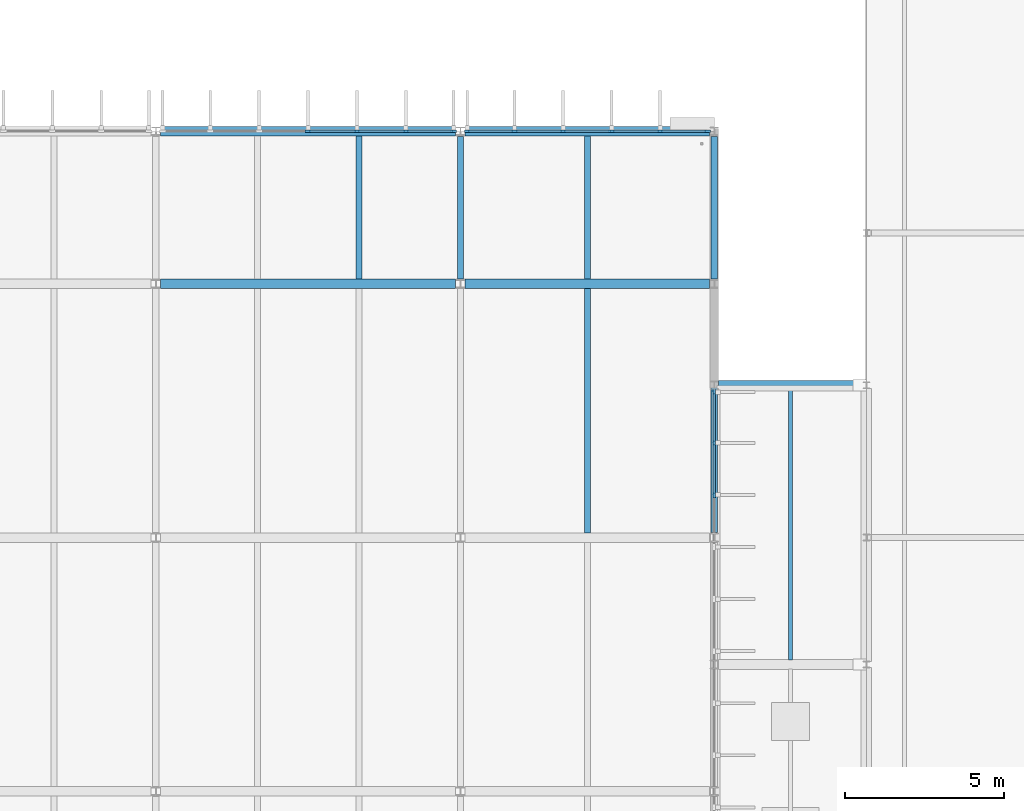
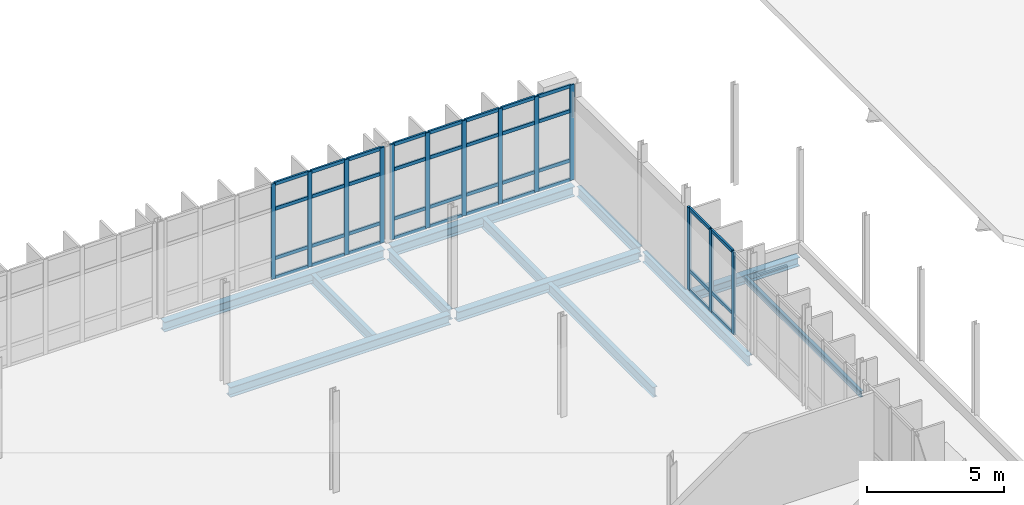
# One storey, part 33 of 93: 51 members, 12 beams, 3 elements without a shape of their own.
"""IFC4 building model written with IfcOpenShell, lengths in metres."""

import ifcopenshell
import ifcopenshell.guid

model = None  # the IFC model being written
_history = None  # IfcOwnerHistory: only IFC2X3 demands one
_inside = {}  # id of a spatial element -> (the spatial element, [elements in it])
_under = {}  # id of a project, library or spatial element -> (it, [spatial elements below it])
_declared = {}  # id of a project -> (the project, [libraries it declares])
_typed = {}  # id of a type object -> (the type object, [elements of that type])
_made_of = {}  # id of a material, layer set ... -> (it, [elements and type objects made of it])


def new_model(schema):
    """Start an empty IFC model of exactly this schema.

    Asked for "IFC4X3", IfcOpenShell would pick the latest addendum, in which some entities
    have other attributes; the version numbers below select the first issue.
    IFC2X3 requires an IfcOwnerHistory on every rooted entity: one is made here for all.
    """
    global model, _history
    if schema == "IFC4X3":
        model = ifcopenshell.file(schema_version=(4, 3, 0, 0))
    else:
        model = ifcopenshell.file(schema=schema)
    _inside.clear()
    _under.clear()
    _declared.clear()
    _typed.clear()
    _made_of.clear()
    _history = None
    if model.schema == "IFC2X3":
        org = make("IfcOrganization", Name="unknown")
        user = make(
            "IfcPersonAndOrganization",
            ThePerson=make("IfcPerson", FamilyName="unknown"),
            TheOrganization=org,
        )
        app = make(
            "IfcApplication",
            ApplicationDeveloper=org,
            Version="unknown",
            ApplicationFullName="unknown",
            ApplicationIdentifier="unknown",
        )
        _history = make(
            "IfcOwnerHistory",
            OwningUser=user,
            OwningApplication=app,
            ChangeAction="ADDED",
            CreationDate=0,
        )
    return model


def make(cls, **values):
    """One entity of the class cls with the attributes given. An attribute that is None is left unset."""
    return model.create_entity(
        cls, **{name: value for name, value in values.items() if value is not None}
    )


def rooted(cls, **values):
    """An entity with a GlobalId (a new one), such as an element, a storey or a relation."""
    return make(cls, GlobalId=ifcopenshell.guid.new(), OwnerHistory=_history, **values)


def si_unit(unit_type, name, prefix=None):
    """IfcSIUnit, for example si_unit("LENGTHUNIT", "METRE", prefix="MILLI")."""
    return make("IfcSIUnit", UnitType=unit_type, Prefix=prefix, Name=name)


def assignment(units):
    """IfcUnitAssignment: the units of a project."""
    return None if units is None else make("IfcUnitAssignment", Units=units)


def point(xyz):
    """IfcCartesianPoint."""
    return None if xyz is None else make("IfcCartesianPoint", Coordinates=xyz)


def direction(xyz):
    """IfcDirection."""
    return None if xyz is None else make("IfcDirection", DirectionRatios=xyz)


def frame(location, z_axis=None, x_axis=None):
    """IfcAxis2Placement3D, a coordinate frame: its origin and axes. An axis left out is left unset."""
    return make(
        "IfcAxis2Placement3D",
        Location=point(location),
        Axis=direction(z_axis),
        RefDirection=direction(x_axis),
    )


def frame_2d(location, x_axis=None):
    """IfcAxis2Placement2D, a coordinate frame in the plane: its origin and x axis."""
    return make(
        "IfcAxis2Placement2D", Location=point(location), RefDirection=direction(x_axis)
    )


def origin():
    """The frame at (0, 0, 0) with its axes left unset."""
    return frame((0.0, 0.0, 0.0))


def origin_2d():
    """The frame at (0, 0) in the plane with its x axis left unset."""
    return frame_2d((0.0, 0.0))


def place(relative_to, where):
    """IfcLocalPlacement: puts the frame where relative to a parent placement (None: the world)."""
    return make(
        "IfcLocalPlacement", PlacementRelTo=relative_to, RelativePlacement=where
    )


def context(
    kind, dimensions, precision=None, world=None, true_north=None, identifier=None
):
    """IfcGeometricRepresentationContext, for example the 3D "Model" context."""
    return make(
        "IfcGeometricRepresentationContext",
        ContextIdentifier=identifier,
        ContextType=kind,
        CoordinateSpaceDimension=dimensions,
        Precision=precision,
        WorldCoordinateSystem=world,
        TrueNorth=true_north,
    )


def subcontext(parent, identifier, kind, view, scale=None):
    """IfcGeometricRepresentationSubContext, for example "Body" below "Model"."""
    return make(
        "IfcGeometricRepresentationSubContext",
        ContextIdentifier=identifier,
        ContextType=kind,
        ParentContext=parent,
        TargetScale=scale,
        TargetView=view,
    )


def project(units=None, contexts=None):
    """IfcProject with its units and contexts."""
    return rooted(
        "IfcProject",
        Name="project",
        RepresentationContexts=contexts,
        UnitsInContext=assignment(units),
    )


def spatial(cls, under=None, at=None, **own):
    """A site, building, storey or space (cls), placed at a placement, below another one or the project."""
    s = rooted(cls, ObjectPlacement=at, **own)
    if under is not None:
        _under.setdefault(under.id(), (under, []))[1].append(s)
    return s


def profile(cls, at=None, kind="AREA", **sizes):
    """A parametric profile (cls). Its sizes go by their IFC names, for example OverallWidth=200.0."""
    return make(cls, ProfileType=kind, Position=at, **sizes)


def rectangle(**sizes):
    """IfcRectangleProfileDef."""
    return profile("IfcRectangleProfileDef", **sizes)


def i_section(**sizes):
    """IfcIShapeProfileDef."""
    return profile("IfcIShapeProfileDef", **sizes)


def extrude(swept, where, along, depth):
    """IfcExtrudedAreaSolid: the profile swept, set in the frame where, extruded along a direction by depth."""
    return make(
        "IfcExtrudedAreaSolid",
        SweptArea=swept,
        Position=where,
        ExtrudedDirection=direction(along),
        Depth=depth,
    )


def shape(context_of_items, identifier, shape_type, items):
    """IfcShapeRepresentation: the items that make up one representation, for example the "Body"."""
    return make(
        "IfcShapeRepresentation",
        ContextOfItems=context_of_items,
        RepresentationIdentifier=identifier,
        RepresentationType=shape_type,
        Items=items,
    )


def material(Name=None, Category=None):
    """IfcMaterial."""
    return make("IfcMaterial", Name=Name, Category=Category)


def material_profile(
    of_material, cross_section, Name=None, Category=None, Priority=None
):
    """IfcMaterialProfile: a cross section and its material."""
    return make(
        "IfcMaterialProfile",
        Name=Name,
        Material=of_material,
        Profile=cross_section,
        Priority=Priority,
        Category=Category,
    )


def profile_set(profiles, Name=None, composite=None):
    """IfcMaterialProfileSet."""
    return make(
        "IfcMaterialProfileSet",
        Name=Name,
        MaterialProfiles=profiles,
        CompositeProfile=composite,
    )


def made_of(thing, what):
    """Note that an element or type object is made of a material, layer set ...; save() writes the relation."""
    if what is not None:
        _made_of.setdefault(what.id(), (what, []))[1].append(thing)
    return thing


def type_object(cls, material=None, **own):
    """A type object (cls), such as IfcWallType, which elements share."""
    return made_of(rooted(cls, **own), material)


def element(
    cls,
    number,
    at=None,
    inside=None,
    cuts=None,
    type_object=None,
    material=None,
    context=None,
    identifier="Body",
    shape_type=None,
    held_by="IfcProductDefinitionShape",
    body=None,
    shapes=None,
    **own,
):
    """One element of the class cls, such as IfcWall. Its Tag is "e" and its number.

    at: its placement. inside: the storey or other place that contains it. cuts: it is an
    opening in that element (IfcRelVoidsElement). A single representation is given by context,
    identifier, shape_type and body (its items); several are given by shapes. held_by: the class
    of the entity that holds the representations. save() writes the other relations.
    """
    e = rooted(cls, Tag="e%d" % number, ObjectPlacement=at, **own)
    if body is not None:
        shapes = [shape(context, identifier, shape_type, body)]
    if shapes is not None:
        e.Representation = make(held_by, Representations=shapes)
    if inside is not None:
        _inside.setdefault(inside.id(), (inside, []))[1].append(e)
    if cuts is not None:
        rooted(
            "IfcRelVoidsElement", RelatingBuildingElement=cuts, RelatedOpeningElement=e
        )
    if type_object is not None:
        _typed.setdefault(type_object.id(), (type_object, []))[1].append(e)
    return made_of(e, material)


def aggregate(whole, parts):
    """IfcRelAggregates: a whole, such as a stair, and the parts it consists of."""
    return rooted("IfcRelAggregates", RelatingObject=whole, RelatedObjects=parts)


def save(model, path):
    """Write the relations noted so far, then the file.

    IfcRelAggregates (storeys below a building ...), IfcRelContainedInSpatialStructure (elements
    in a storey), IfcRelDefinesByType, IfcRelAssociatesMaterial and IfcRelDeclares: one each for
    every whole, place, type object, material and project.
    """
    for whole, parts in _under.values():
        aggregate(whole, parts)
    for where, things in _inside.values():
        rooted(
            "IfcRelContainedInSpatialStructure",
            RelatedElements=things,
            RelatingStructure=where,
        )
    for kind, things in _typed.values():
        rooted("IfcRelDefinesByType", RelatedObjects=things, RelatingType=kind)
    for what, things in _made_of.values():
        rooted("IfcRelAssociatesMaterial", RelatedObjects=things, RelatingMaterial=what)
    for by, libraries in _declared.values():
        rooted("IfcRelDeclares", RelatingContext=by, RelatedDefinitions=libraries)
    model.write(path)


model = new_model("IFC4")

# Units and contexts
model_context = context("Model", 3, precision=1e-05, world=origin(), true_north=direction((0.0, 1.0)))
body_context = subcontext(model_context, "Body", "Model", "MODEL_VIEW")
ifc_project = project(units=[si_unit("LENGTHUNIT", "METRE"), si_unit("AREAUNIT", "SQUARE_METRE"), si_unit("VOLUMEUNIT", "CUBIC_METRE"), si_unit("PLANEANGLEUNIT", "RADIAN"), si_unit("MASSUNIT", "GRAM", prefix="KILO")], contexts=[model_context])

# Site, building, storey
site_placement = place(None, origin())
site = spatial("IfcSite", under=ifc_project, at=site_placement, CompositionType="ELEMENT")
building_placement = place(site_placement, origin())
building = spatial("IfcBuilding", under=site, at=building_placement, Name="Dunescarp Central Library", CompositionType="ELEMENT")
storey_placement = place(building_placement, frame((0.0, 0.0, 14.10009765625)))
storey = spatial("IfcBuildingStorey", under=building, at=storey_placement, Name="L03", CompositionType="ELEMENT", Elevation=14.10009765625)

# Curtain wall, members
ifc_material_1 = material(Name="Marine-grade anodised aluminium 6063-T6", Category="aluminium")
curtain_wall_type = type_object("IfcCurtainWallType", Name="ARC-CW-STICK", PredefinedType="NOTDEFINED", material=ifc_material_1)
curtain_wall_1_placement = place(storey_placement, origin())
curtain_wall_1 = element("IfcCurtainWall", 1, at=curtain_wall_1_placement, inside=storey, type_object=curtain_wall_type, Name="L03 curtain wall CW-V3-105", PredefinedType="NOTDEFINED")
ifc_material_profile_1 = material_profile(ifc_material_1, rectangle(XDim=0.080078125, YDim=0.179931640625, at=origin_2d()), Name="AL 80x180")
ifc_profile_set_1 = profile_set([ifc_material_profile_1], Name="Marine-grade anodised aluminium 6063-T6")
member_type_1 = type_object("IfcMemberType", Name="ARC-CWM-180", PredefinedType="MULLION", material=ifc_profile_set_1)
member_1_placement = place(storey_placement, frame((112.0, 33.60009765625, 0.0), z_axis=(0.0, 0.0, 1.0), x_axis=(0.0, 1.0, 0.0)))
member_1 = element("IfcMember", 2, at=member_1_placement, type_object=member_type_1, Name="CW-V3-105 mullion 4", PredefinedType="MULLION", context=body_context, shape_type="SweptSolid", body=[
    extrude(rectangle(XDim=0.080078125, YDim=0.179931640625, at=origin_2d()), origin(), (0.0, 0.0, 1.0), 4.25),
])
member_2_placement = place(storey_placement, frame((113.541748046875, 33.60009765625, 0.0), z_axis=(0.0, 0.0, 1.0), x_axis=(0.0, 1.0, 0.0)))
member_2 = element("IfcMember", 3, at=member_2_placement, type_object=member_type_1, Name="CW-V3-105 mullion 5", PredefinedType="MULLION", context=body_context, shape_type="SweptSolid", body=[
    extrude(rectangle(XDim=0.080078125, YDim=0.179931640625, at=origin_2d()), origin(), (0.0, 0.0, 1.0), 4.25),
])
member_3_placement = place(storey_placement, frame((115.083251953125, 33.60009765625, 0.0), z_axis=(0.0, 0.0, 1.0), x_axis=(0.0, 1.0, 0.0)))
member_3 = element("IfcMember", 4, at=member_3_placement, type_object=member_type_1, Name="CW-V3-105 mullion 6", PredefinedType="MULLION", context=body_context, shape_type="SweptSolid", body=[
    extrude(rectangle(XDim=0.080078125, YDim=0.179931640625, at=origin_2d()), origin(), (0.0, 0.0, 1.0), 4.25),
])
member_4_placement = place(storey_placement, frame((116.5849609375, 33.60009765625, 0.0), z_axis=(0.0, 0.0, 1.0), x_axis=(0.0, 1.0, 0.0)))
member_4 = element("IfcMember", 5, at=member_4_placement, type_object=member_type_1, Name="CW-V3-105 mullion 7", PredefinedType="MULLION", context=body_context, shape_type="SweptSolid", body=[
    extrude(rectangle(XDim=0.080078125, YDim=0.179931640625, at=origin_2d()), origin(), (0.0, 0.0, 1.0), 4.25),
])

curtain_wall_2_placement = place(storey_placement, origin())
curtain_wall_2 = element("IfcCurtainWall", 6, at=curtain_wall_2_placement, inside=storey, type_object=curtain_wall_type, Name="L03 curtain wall CW-V3-106", PredefinedType="NOTDEFINED")
member_5_placement = place(storey_placement, frame((117.014892578125, 33.60009765625, 0.0), z_axis=(0.0, 0.0, 1.0), x_axis=(0.0, 1.0, 0.0)))
member_5 = element("IfcMember", 7, at=member_5_placement, type_object=member_type_1, Name="CW-V3-106 mullion 1", PredefinedType="MULLION", context=body_context, shape_type="SweptSolid", body=[
    extrude(rectangle(XDim=0.080078125, YDim=0.179931640625, at=origin_2d()), origin(), (0.0, 0.0, 1.0), 4.25),
])
member_6_placement = place(storey_placement, frame((118.5048828125, 33.60009765625, 0.0), z_axis=(0.0, 0.0, 1.0), x_axis=(0.0, 1.0, 0.0)))
member_6 = element("IfcMember", 8, at=member_6_placement, type_object=member_type_1, Name="CW-V3-106 mullion 2", PredefinedType="MULLION", context=body_context, shape_type="SweptSolid", body=[
    extrude(rectangle(XDim=0.080078125, YDim=0.179931640625, at=origin_2d()), origin(), (0.0, 0.0, 1.0), 4.25),
])
member_7_placement = place(storey_placement, frame((120.034912109375, 33.60009765625, 0.0), z_axis=(0.0, 0.0, 1.0), x_axis=(0.0, 1.0, 0.0)))
member_7 = element("IfcMember", 9, at=member_7_placement, type_object=member_type_1, Name="CW-V3-106 mullion 3", PredefinedType="MULLION", context=body_context, shape_type="SweptSolid", body=[
    extrude(rectangle(XDim=0.080078125, YDim=0.179931640625, at=origin_2d()), origin(), (0.0, 0.0, 1.0), 4.25),
])
member_8_placement = place(storey_placement, frame((121.56494140625, 33.60009765625, 0.0), z_axis=(0.0, 0.0, 1.0), x_axis=(0.0, 1.0, 0.0)))
member_8 = element("IfcMember", 10, at=member_8_placement, type_object=member_type_1, Name="CW-V3-106 mullion 4", PredefinedType="MULLION", context=body_context, shape_type="SweptSolid", body=[
    extrude(rectangle(XDim=0.080078125, YDim=0.179931640625, at=origin_2d()), origin(), (0.0, 0.0, 1.0), 4.25),
])
member_9_placement = place(storey_placement, frame((123.094970703125, 33.60009765625, 0.0), z_axis=(0.0, 0.0, 1.0), x_axis=(0.0, 1.0, 0.0)))
member_9 = element("IfcMember", 11, at=member_9_placement, type_object=member_type_1, Name="CW-V3-106 mullion 5", PredefinedType="MULLION", context=body_context, shape_type="SweptSolid", body=[
    extrude(rectangle(XDim=0.080078125, YDim=0.179931640625, at=origin_2d()), origin(), (0.0, 0.0, 1.0), 4.25),
])
member_10_placement = place(storey_placement, frame((124.5849609375, 33.60009765625, 0.0), z_axis=(0.0, 0.0, 1.0), x_axis=(0.0, 1.0, 0.0)))
member_10 = element("IfcMember", 12, at=member_10_placement, type_object=member_type_1, Name="CW-V3-106 mullion 6", PredefinedType="MULLION", context=body_context, shape_type="SweptSolid", body=[
    extrude(rectangle(XDim=0.080078125, YDim=0.179931640625, at=origin_2d()), origin(), (0.0, 0.0, 1.0), 4.25),
])

curtain_wall_3_placement = place(storey_placement, origin())
curtain_wall_3 = element("IfcCurtainWall", 13, at=curtain_wall_3_placement, inside=storey, type_object=curtain_wall_type, Name="L03 curtain wall CW-V3-107", PredefinedType="NOTDEFINED")
member_11_placement = place(storey_placement, frame((124.800048828125, 25.385009765625, 0.0), z_axis=(0.0, 0.0, 1.0), x_axis=(1.0, 0.0, 0.0)))
member_11 = element("IfcMember", 14, at=member_11_placement, type_object=member_type_1, Name="CW-V3-107 mullion 1", PredefinedType="MULLION", context=body_context, shape_type="SweptSolid", body=[
    extrude(rectangle(XDim=0.080078125, YDim=0.179931640625, at=origin_2d()), origin(), (0.0, 0.0, 1.0), 3.685791015625),
])
member_12_placement = place(storey_placement, frame((124.800048828125, 23.7841796875, 0.0), z_axis=(0.0, 0.0, 1.0), x_axis=(1.0, 0.0, 0.0)))
member_12 = element("IfcMember", 15, at=member_12_placement, type_object=member_type_1, Name="CW-V3-107 mullion 2", PredefinedType="MULLION", context=body_context, shape_type="SweptSolid", body=[
    extrude(rectangle(XDim=0.080078125, YDim=0.179931640625, at=origin_2d()), origin(), (0.0, 0.0, 1.0), 3.685791015625),
])
member_13_placement = place(storey_placement, frame((124.800048828125, 22.14306640625, 0.0), z_axis=(0.0, 0.0, 1.0), x_axis=(1.0, 0.0, 0.0)))
member_13 = element("IfcMember", 16, at=member_13_placement, type_object=member_type_1, Name="CW-V3-107 mullion 3", PredefinedType="MULLION", context=body_context, shape_type="SweptSolid", body=[
    extrude(rectangle(XDim=0.080078125, YDim=0.179931640625, at=origin_2d()), origin(), (0.0, 0.0, 1.0), 3.685791015625),
])

# Member
ifc_material_profile_2 = material_profile(ifc_material_1, rectangle(XDim=0.080078125, YDim=0.14990234375, at=origin_2d()), Name="AL 80x150")
ifc_profile_set_2 = profile_set([ifc_material_profile_2], Name="Marine-grade anodised aluminium 6063-T6")
member_type_2 = type_object("IfcMemberType", Name="ARC-CWT-150", PredefinedType="USERDEFINED", material=ifc_profile_set_2)
member_14_placement = place(storey_placement, frame((112.0400390625, 33.60009765625, 0.039794921875), z_axis=(1.0, 0.0, 0.0), x_axis=(0.0, 1.0, 0.0)))
member_14 = element("IfcMember", 17, at=member_14_placement, type_object=member_type_2, Name="CW-V3-105 transom 4.1", ObjectType="TRANSOM", PredefinedType="USERDEFINED", context=body_context, shape_type="SweptSolid", body=[
    extrude(rectangle(XDim=0.080078125, YDim=0.14990234375, at=origin_2d()), origin(), (0.0, 0.0, 1.0), 1.461669921875),
])

member_15_placement = place(storey_placement, frame((112.0400390625, 33.60009765625, 0.89990234375), z_axis=(1.0, 0.0, 0.0), x_axis=(0.0, 1.0, 0.0)))
member_15 = element("IfcMember", 18, at=member_15_placement, type_object=member_type_2, Name="CW-V3-105 transom 4.2", ObjectType="TRANSOM", PredefinedType="USERDEFINED", context=body_context, shape_type="SweptSolid", body=[
    extrude(rectangle(XDim=0.080078125, YDim=0.14990234375, at=origin_2d()), origin(), (0.0, 0.0, 1.0), 1.461669921875),
])

member_16_placement = place(storey_placement, frame((112.0400390625, 33.60009765625, 3.099853515625), z_axis=(1.0, 0.0, 0.0), x_axis=(0.0, 1.0, 0.0)))
member_16 = element("IfcMember", 19, at=member_16_placement, type_object=member_type_2, Name="CW-V3-105 transom 4.3", ObjectType="TRANSOM", PredefinedType="USERDEFINED", context=body_context, shape_type="SweptSolid", body=[
    extrude(rectangle(XDim=0.080078125, YDim=0.14990234375, at=origin_2d()), origin(), (0.0, 0.0, 1.0), 1.461669921875),
])

member_17_placement = place(storey_placement, frame((112.0400390625, 33.60009765625, 4.2099609375), z_axis=(1.0, 0.0, 0.0), x_axis=(0.0, 1.0, 0.0)))
member_17 = element("IfcMember", 20, at=member_17_placement, type_object=member_type_2, Name="CW-V3-105 transom 4.4", ObjectType="TRANSOM", PredefinedType="USERDEFINED", context=body_context, shape_type="SweptSolid", body=[
    extrude(rectangle(XDim=0.080078125, YDim=0.14990234375, at=origin_2d()), origin(), (0.0, 0.0, 1.0), 1.461669921875),
])

member_18_placement = place(storey_placement, frame((113.581787109375, 33.60009765625, 0.039794921875), z_axis=(1.0, 0.0, 0.0), x_axis=(0.0, 1.0, 0.0)))
member_18 = element("IfcMember", 21, at=member_18_placement, type_object=member_type_2, Name="CW-V3-105 transom 5.1", ObjectType="TRANSOM", PredefinedType="USERDEFINED", context=body_context, shape_type="SweptSolid", body=[
    extrude(rectangle(XDim=0.080078125, YDim=0.14990234375, at=origin_2d()), origin(), (0.0, 0.0, 1.0), 1.46142578125),
])

member_19_placement = place(storey_placement, frame((113.581787109375, 33.60009765625, 0.89990234375), z_axis=(1.0, 0.0, 0.0), x_axis=(0.0, 1.0, 0.0)))
member_19 = element("IfcMember", 22, at=member_19_placement, type_object=member_type_2, Name="CW-V3-105 transom 5.2", ObjectType="TRANSOM", PredefinedType="USERDEFINED", context=body_context, shape_type="SweptSolid", body=[
    extrude(rectangle(XDim=0.080078125, YDim=0.14990234375, at=origin_2d()), origin(), (0.0, 0.0, 1.0), 1.46142578125),
])

member_20_placement = place(storey_placement, frame((113.581787109375, 33.60009765625, 3.099853515625), z_axis=(1.0, 0.0, 0.0), x_axis=(0.0, 1.0, 0.0)))
member_20 = element("IfcMember", 23, at=member_20_placement, type_object=member_type_2, Name="CW-V3-105 transom 5.3", ObjectType="TRANSOM", PredefinedType="USERDEFINED", context=body_context, shape_type="SweptSolid", body=[
    extrude(rectangle(XDim=0.080078125, YDim=0.14990234375, at=origin_2d()), origin(), (0.0, 0.0, 1.0), 1.46142578125),
])

member_21_placement = place(storey_placement, frame((113.581787109375, 33.60009765625, 4.2099609375), z_axis=(1.0, 0.0, 0.0), x_axis=(0.0, 1.0, 0.0)))
member_21 = element("IfcMember", 24, at=member_21_placement, type_object=member_type_2, Name="CW-V3-105 transom 5.4", ObjectType="TRANSOM", PredefinedType="USERDEFINED", context=body_context, shape_type="SweptSolid", body=[
    extrude(rectangle(XDim=0.080078125, YDim=0.14990234375, at=origin_2d()), origin(), (0.0, 0.0, 1.0), 1.46142578125),
])

member_22_placement = place(storey_placement, frame((115.123291015625, 33.60009765625, 0.039794921875), z_axis=(1.0, 0.0, 0.0), x_axis=(0.0, 1.0, 0.0)))
member_22 = element("IfcMember", 25, at=member_22_placement, type_object=member_type_2, Name="CW-V3-105 transom 6.1", ObjectType="TRANSOM", PredefinedType="USERDEFINED", context=body_context, shape_type="SweptSolid", body=[
    extrude(rectangle(XDim=0.080078125, YDim=0.14990234375, at=origin_2d()), origin(), (0.0, 0.0, 1.0), 1.421630859375),
])

member_23_placement = place(storey_placement, frame((115.123291015625, 33.60009765625, 0.89990234375), z_axis=(1.0, 0.0, 0.0), x_axis=(0.0, 1.0, 0.0)))
member_23 = element("IfcMember", 26, at=member_23_placement, type_object=member_type_2, Name="CW-V3-105 transom 6.2", ObjectType="TRANSOM", PredefinedType="USERDEFINED", context=body_context, shape_type="SweptSolid", body=[
    extrude(rectangle(XDim=0.080078125, YDim=0.14990234375, at=origin_2d()), origin(), (0.0, 0.0, 1.0), 1.421630859375),
])

member_24_placement = place(storey_placement, frame((115.123291015625, 33.60009765625, 3.099853515625), z_axis=(1.0, 0.0, 0.0), x_axis=(0.0, 1.0, 0.0)))
member_24 = element("IfcMember", 27, at=member_24_placement, type_object=member_type_2, Name="CW-V3-105 transom 6.3", ObjectType="TRANSOM", PredefinedType="USERDEFINED", context=body_context, shape_type="SweptSolid", body=[
    extrude(rectangle(XDim=0.080078125, YDim=0.14990234375, at=origin_2d()), origin(), (0.0, 0.0, 1.0), 1.421630859375),
])

member_25_placement = place(storey_placement, frame((115.123291015625, 33.60009765625, 4.2099609375), z_axis=(1.0, 0.0, 0.0), x_axis=(0.0, 1.0, 0.0)))
member_25 = element("IfcMember", 28, at=member_25_placement, type_object=member_type_2, Name="CW-V3-105 transom 6.4", ObjectType="TRANSOM", PredefinedType="USERDEFINED", context=body_context, shape_type="SweptSolid", body=[
    extrude(rectangle(XDim=0.080078125, YDim=0.14990234375, at=origin_2d()), origin(), (0.0, 0.0, 1.0), 1.421630859375),
])

aggregate(curtain_wall_1, [member_1, member_2, member_3, member_4, member_14, member_15, member_16, member_17, member_18, member_19, member_20, member_21, member_22, member_23, member_24, member_25])

member_26_placement = place(storey_placement, frame((117.054931640625, 33.60009765625, 0.039794921875), z_axis=(1.0, 0.0, 0.0), x_axis=(0.0, 1.0, 0.0)))
member_26 = element("IfcMember", 29, at=member_26_placement, type_object=member_type_2, Name="CW-V3-106 transom 1.1", ObjectType="TRANSOM", PredefinedType="USERDEFINED", context=body_context, shape_type="SweptSolid", body=[
    extrude(rectangle(XDim=0.080078125, YDim=0.14990234375, at=origin_2d()), origin(), (0.0, 0.0, 1.0), 1.41015625),
])

member_27_placement = place(storey_placement, frame((117.054931640625, 33.60009765625, 0.89990234375), z_axis=(1.0, 0.0, 0.0), x_axis=(0.0, 1.0, 0.0)))
member_27 = element("IfcMember", 30, at=member_27_placement, type_object=member_type_2, Name="CW-V3-106 transom 1.2", ObjectType="TRANSOM", PredefinedType="USERDEFINED", context=body_context, shape_type="SweptSolid", body=[
    extrude(rectangle(XDim=0.080078125, YDim=0.14990234375, at=origin_2d()), origin(), (0.0, 0.0, 1.0), 1.41015625),
])

member_28_placement = place(storey_placement, frame((117.054931640625, 33.60009765625, 3.099853515625), z_axis=(1.0, 0.0, 0.0), x_axis=(0.0, 1.0, 0.0)))
member_28 = element("IfcMember", 31, at=member_28_placement, type_object=member_type_2, Name="CW-V3-106 transom 1.3", ObjectType="TRANSOM", PredefinedType="USERDEFINED", context=body_context, shape_type="SweptSolid", body=[
    extrude(rectangle(XDim=0.080078125, YDim=0.14990234375, at=origin_2d()), origin(), (0.0, 0.0, 1.0), 1.41015625),
])

member_29_placement = place(storey_placement, frame((117.054931640625, 33.60009765625, 4.2099609375), z_axis=(1.0, 0.0, 0.0), x_axis=(0.0, 1.0, 0.0)))
member_29 = element("IfcMember", 32, at=member_29_placement, type_object=member_type_2, Name="CW-V3-106 transom 1.4", ObjectType="TRANSOM", PredefinedType="USERDEFINED", context=body_context, shape_type="SweptSolid", body=[
    extrude(rectangle(XDim=0.080078125, YDim=0.14990234375, at=origin_2d()), origin(), (0.0, 0.0, 1.0), 1.41015625),
])

member_30_placement = place(storey_placement, frame((118.544921875, 33.60009765625, 0.039794921875), z_axis=(1.0, 0.0, 0.0), x_axis=(0.0, 1.0, 0.0)))
member_30 = element("IfcMember", 33, at=member_30_placement, type_object=member_type_2, Name="CW-V3-106 transom 2.1", ObjectType="TRANSOM", PredefinedType="USERDEFINED", context=body_context, shape_type="SweptSolid", body=[
    extrude(rectangle(XDim=0.080078125, YDim=0.14990234375, at=origin_2d()), origin(), (0.0, 0.0, 1.0), 1.4501953125),
])

member_31_placement = place(storey_placement, frame((118.544921875, 33.60009765625, 0.89990234375), z_axis=(1.0, 0.0, 0.0), x_axis=(0.0, 1.0, 0.0)))
member_31 = element("IfcMember", 34, at=member_31_placement, type_object=member_type_2, Name="CW-V3-106 transom 2.2", ObjectType="TRANSOM", PredefinedType="USERDEFINED", context=body_context, shape_type="SweptSolid", body=[
    extrude(rectangle(XDim=0.080078125, YDim=0.14990234375, at=origin_2d()), origin(), (0.0, 0.0, 1.0), 1.4501953125),
])

member_32_placement = place(storey_placement, frame((118.544921875, 33.60009765625, 3.099853515625), z_axis=(1.0, 0.0, 0.0), x_axis=(0.0, 1.0, 0.0)))
member_32 = element("IfcMember", 35, at=member_32_placement, type_object=member_type_2, Name="CW-V3-106 transom 2.3", ObjectType="TRANSOM", PredefinedType="USERDEFINED", context=body_context, shape_type="SweptSolid", body=[
    extrude(rectangle(XDim=0.080078125, YDim=0.14990234375, at=origin_2d()), origin(), (0.0, 0.0, 1.0), 1.4501953125),
])

member_33_placement = place(storey_placement, frame((118.544921875, 33.60009765625, 4.2099609375), z_axis=(1.0, 0.0, 0.0), x_axis=(0.0, 1.0, 0.0)))
member_33 = element("IfcMember", 36, at=member_33_placement, type_object=member_type_2, Name="CW-V3-106 transom 2.4", ObjectType="TRANSOM", PredefinedType="USERDEFINED", context=body_context, shape_type="SweptSolid", body=[
    extrude(rectangle(XDim=0.080078125, YDim=0.14990234375, at=origin_2d()), origin(), (0.0, 0.0, 1.0), 1.4501953125),
])

member_34_placement = place(storey_placement, frame((120.074951171875, 33.60009765625, 0.039794921875), z_axis=(1.0, 0.0, 0.0), x_axis=(0.0, 1.0, 0.0)))
member_34 = element("IfcMember", 37, at=member_34_placement, type_object=member_type_2, Name="CW-V3-106 transom 3.1", ObjectType="TRANSOM", PredefinedType="USERDEFINED", context=body_context, shape_type="SweptSolid", body=[
    extrude(rectangle(XDim=0.080078125, YDim=0.14990234375, at=origin_2d()), origin(), (0.0, 0.0, 1.0), 1.449951171875),
])

member_35_placement = place(storey_placement, frame((120.074951171875, 33.60009765625, 0.89990234375), z_axis=(1.0, 0.0, 0.0), x_axis=(0.0, 1.0, 0.0)))
member_35 = element("IfcMember", 38, at=member_35_placement, type_object=member_type_2, Name="CW-V3-106 transom 3.2", ObjectType="TRANSOM", PredefinedType="USERDEFINED", context=body_context, shape_type="SweptSolid", body=[
    extrude(rectangle(XDim=0.080078125, YDim=0.14990234375, at=origin_2d()), origin(), (0.0, 0.0, 1.0), 1.449951171875),
])

member_36_placement = place(storey_placement, frame((120.074951171875, 33.60009765625, 3.099853515625), z_axis=(1.0, 0.0, 0.0), x_axis=(0.0, 1.0, 0.0)))
member_36 = element("IfcMember", 39, at=member_36_placement, type_object=member_type_2, Name="CW-V3-106 transom 3.3", ObjectType="TRANSOM", PredefinedType="USERDEFINED", context=body_context, shape_type="SweptSolid", body=[
    extrude(rectangle(XDim=0.080078125, YDim=0.14990234375, at=origin_2d()), origin(), (0.0, 0.0, 1.0), 1.449951171875),
])

member_37_placement = place(storey_placement, frame((120.074951171875, 33.60009765625, 4.2099609375), z_axis=(1.0, 0.0, 0.0), x_axis=(0.0, 1.0, 0.0)))
member_37 = element("IfcMember", 40, at=member_37_placement, type_object=member_type_2, Name="CW-V3-106 transom 3.4", ObjectType="TRANSOM", PredefinedType="USERDEFINED", context=body_context, shape_type="SweptSolid", body=[
    extrude(rectangle(XDim=0.080078125, YDim=0.14990234375, at=origin_2d()), origin(), (0.0, 0.0, 1.0), 1.449951171875),
])

member_38_placement = place(storey_placement, frame((121.60498046875, 33.60009765625, 0.039794921875), z_axis=(1.0, 0.0, 0.0), x_axis=(0.0, 1.0, 0.0)))
member_38 = element("IfcMember", 41, at=member_38_placement, type_object=member_type_2, Name="CW-V3-106 transom 4.1", ObjectType="TRANSOM", PredefinedType="USERDEFINED", context=body_context, shape_type="SweptSolid", body=[
    extrude(rectangle(XDim=0.080078125, YDim=0.14990234375, at=origin_2d()), origin(), (0.0, 0.0, 1.0), 1.449951171875),
])

member_39_placement = place(storey_placement, frame((121.60498046875, 33.60009765625, 0.89990234375), z_axis=(1.0, 0.0, 0.0), x_axis=(0.0, 1.0, 0.0)))
member_39 = element("IfcMember", 42, at=member_39_placement, type_object=member_type_2, Name="CW-V3-106 transom 4.2", ObjectType="TRANSOM", PredefinedType="USERDEFINED", context=body_context, shape_type="SweptSolid", body=[
    extrude(rectangle(XDim=0.080078125, YDim=0.14990234375, at=origin_2d()), origin(), (0.0, 0.0, 1.0), 1.449951171875),
])

member_40_placement = place(storey_placement, frame((121.60498046875, 33.60009765625, 3.099853515625), z_axis=(1.0, 0.0, 0.0), x_axis=(0.0, 1.0, 0.0)))
member_40 = element("IfcMember", 43, at=member_40_placement, type_object=member_type_2, Name="CW-V3-106 transom 4.3", ObjectType="TRANSOM", PredefinedType="USERDEFINED", context=body_context, shape_type="SweptSolid", body=[
    extrude(rectangle(XDim=0.080078125, YDim=0.14990234375, at=origin_2d()), origin(), (0.0, 0.0, 1.0), 1.449951171875),
])

member_41_placement = place(storey_placement, frame((121.60498046875, 33.60009765625, 4.2099609375), z_axis=(1.0, 0.0, 0.0), x_axis=(0.0, 1.0, 0.0)))
member_41 = element("IfcMember", 44, at=member_41_placement, type_object=member_type_2, Name="CW-V3-106 transom 4.4", ObjectType="TRANSOM", PredefinedType="USERDEFINED", context=body_context, shape_type="SweptSolid", body=[
    extrude(rectangle(XDim=0.080078125, YDim=0.14990234375, at=origin_2d()), origin(), (0.0, 0.0, 1.0), 1.449951171875),
])

member_42_placement = place(storey_placement, frame((123.135009765625, 33.60009765625, 0.039794921875), z_axis=(1.0, 0.0, 0.0), x_axis=(0.0, 1.0, 0.0)))
member_42 = element("IfcMember", 45, at=member_42_placement, type_object=member_type_2, Name="CW-V3-106 transom 5.1", ObjectType="TRANSOM", PredefinedType="USERDEFINED", context=body_context, shape_type="SweptSolid", body=[
    extrude(rectangle(XDim=0.080078125, YDim=0.14990234375, at=origin_2d()), origin(), (0.0, 0.0, 1.0), 1.409912109375),
])

member_43_placement = place(storey_placement, frame((123.135009765625, 33.60009765625, 0.89990234375), z_axis=(1.0, 0.0, 0.0), x_axis=(0.0, 1.0, 0.0)))
member_43 = element("IfcMember", 46, at=member_43_placement, type_object=member_type_2, Name="CW-V3-106 transom 5.2", ObjectType="TRANSOM", PredefinedType="USERDEFINED", context=body_context, shape_type="SweptSolid", body=[
    extrude(rectangle(XDim=0.080078125, YDim=0.14990234375, at=origin_2d()), origin(), (0.0, 0.0, 1.0), 1.409912109375),
])

member_44_placement = place(storey_placement, frame((123.135009765625, 33.60009765625, 3.099853515625), z_axis=(1.0, 0.0, 0.0), x_axis=(0.0, 1.0, 0.0)))
member_44 = element("IfcMember", 47, at=member_44_placement, type_object=member_type_2, Name="CW-V3-106 transom 5.3", ObjectType="TRANSOM", PredefinedType="USERDEFINED", context=body_context, shape_type="SweptSolid", body=[
    extrude(rectangle(XDim=0.080078125, YDim=0.14990234375, at=origin_2d()), origin(), (0.0, 0.0, 1.0), 1.409912109375),
])

member_45_placement = place(storey_placement, frame((123.135009765625, 33.60009765625, 4.2099609375), z_axis=(1.0, 0.0, 0.0), x_axis=(0.0, 1.0, 0.0)))
member_45 = element("IfcMember", 48, at=member_45_placement, type_object=member_type_2, Name="CW-V3-106 transom 5.4", ObjectType="TRANSOM", PredefinedType="USERDEFINED", context=body_context, shape_type="SweptSolid", body=[
    extrude(rectangle(XDim=0.080078125, YDim=0.14990234375, at=origin_2d()), origin(), (0.0, 0.0, 1.0), 1.409912109375),
])

aggregate(curtain_wall_2, [member_5, member_6, member_7, member_8, member_9, member_10, member_26, member_27, member_28, member_29, member_30, member_31, member_32, member_33, member_34, member_35, member_36, member_37, member_38, member_39, member_40, member_41, member_42, member_43, member_44, member_45])

member_46_placement = place(storey_placement, frame((124.800048828125, 25.344970703125, 0.039794921875), z_axis=(0.0, -1.0, 0.0), x_axis=(1.0, 0.0, 0.0)))
member_46 = element("IfcMember", 49, at=member_46_placement, type_object=member_type_2, Name="CW-V3-107 transom 1.1", ObjectType="TRANSOM", PredefinedType="USERDEFINED", context=body_context, shape_type="SweptSolid", body=[
    extrude(rectangle(XDim=0.080078125, YDim=0.14990234375, at=origin_2d()), origin(), (0.0, 0.0, 1.0), 1.52099609375),
])

member_47_placement = place(storey_placement, frame((124.800048828125, 25.344970703125, 0.89990234375), z_axis=(0.0, -1.0, 0.0), x_axis=(1.0, 0.0, 0.0)))
member_47 = element("IfcMember", 50, at=member_47_placement, type_object=member_type_2, Name="CW-V3-107 transom 1.2", ObjectType="TRANSOM", PredefinedType="USERDEFINED", context=body_context, shape_type="SweptSolid", body=[
    extrude(rectangle(XDim=0.080078125, YDim=0.14990234375, at=origin_2d()), origin(), (0.0, 0.0, 1.0), 1.52099609375),
])

member_48_placement = place(storey_placement, frame((124.800048828125, 25.344970703125, 3.64599609375), z_axis=(0.0, -1.0, 0.0), x_axis=(1.0, 0.0, 0.0)))
member_48 = element("IfcMember", 51, at=member_48_placement, type_object=member_type_2, Name="CW-V3-107 transom 1.3", ObjectType="TRANSOM", PredefinedType="USERDEFINED", context=body_context, shape_type="SweptSolid", body=[
    extrude(rectangle(XDim=0.080078125, YDim=0.14990234375, at=origin_2d()), origin(), (0.0, 0.0, 1.0), 1.52099609375),
])

member_49_placement = place(storey_placement, frame((124.800048828125, 23.744140625, 0.039794921875), z_axis=(0.0, -1.0, 0.0), x_axis=(1.0, 0.0, 0.0)))
member_49 = element("IfcMember", 52, at=member_49_placement, type_object=member_type_2, Name="CW-V3-107 transom 2.1", ObjectType="TRANSOM", PredefinedType="USERDEFINED", context=body_context, shape_type="SweptSolid", body=[
    extrude(rectangle(XDim=0.080078125, YDim=0.14990234375, at=origin_2d()), origin(), (0.0, 0.0, 1.0), 1.56103515625),
])

member_50_placement = place(storey_placement, frame((124.800048828125, 23.744140625, 0.89990234375), z_axis=(0.0, -1.0, 0.0), x_axis=(1.0, 0.0, 0.0)))
member_50 = element("IfcMember", 53, at=member_50_placement, type_object=member_type_2, Name="CW-V3-107 transom 2.2", ObjectType="TRANSOM", PredefinedType="USERDEFINED", context=body_context, shape_type="SweptSolid", body=[
    extrude(rectangle(XDim=0.080078125, YDim=0.14990234375, at=origin_2d()), origin(), (0.0, 0.0, 1.0), 1.56103515625),
])

member_51_placement = place(storey_placement, frame((124.800048828125, 23.744140625, 3.64599609375), z_axis=(0.0, -1.0, 0.0), x_axis=(1.0, 0.0, 0.0)))
member_51 = element("IfcMember", 54, at=member_51_placement, type_object=member_type_2, Name="CW-V3-107 transom 2.3", ObjectType="TRANSOM", PredefinedType="USERDEFINED", context=body_context, shape_type="SweptSolid", body=[
    extrude(rectangle(XDim=0.080078125, YDim=0.14990234375, at=origin_2d()), origin(), (0.0, 0.0, 1.0), 1.56103515625),
])

aggregate(curtain_wall_3, [member_11, member_12, member_13, member_46, member_47, member_48, member_49, member_50, member_51])

# Beams
ifc_material_2 = material(Name="Steel S355JR", Category="steel")
ifc_material_profile_3 = material_profile(ifc_material_2, i_section(OverallWidth=0.300048828125, OverallDepth=0.389892578125, WebThickness=0.010986328125, FlangeThickness=0.01904296875, at=origin_2d()), Name="HEA 400")
ifc_profile_set_3 = profile_set([ifc_material_profile_3], Name="Steel S355JR")
beam_type_1 = type_object("IfcBeamType", Name="STR-BM-HEA400", PredefinedType="BEAM", material=ifc_profile_set_3)
beam_1_placement = place(storey_placement, frame((124.927978515625, 25.60009765625, -0.43505859375), z_axis=(1.0, 0.0, 0.0), x_axis=(0.0, 1.0, 0.0)))
element("IfcBeam", 55, at=beam_1_placement, inside=storey, type_object=beam_type_1, Name="L03 girder BM-L03-20013", PredefinedType="BEAM", context=body_context, shape_type="SweptSolid", body=[
    extrude(i_section(OverallWidth=0.300048828125, OverallDepth=0.389892578125, WebThickness=0.010986328125, FlangeThickness=0.01904296875, at=origin_2d()), origin(), (0.0, 0.0, 1.0), 4.572998046875),
])
ifc_material_profile_4 = material_profile(ifc_material_2, i_section(OverallWidth=0.300048828125, OverallDepth=0.43994140625, WebThickness=0.011474609375, FlangeThickness=0.02099609375, at=origin_2d()), Name="HEA 450")
ifc_profile_set_4 = profile_set([ifc_material_profile_4], Name="Steel S355JR")
beam_type_2 = type_object("IfcBeamType", Name="STR-BM-HEA450", PredefinedType="BEAM", material=ifc_profile_set_4)
for number, where, z_axis, x_axis, name in (
    (56, (107.35107421875, 28.800048828125, -0.460205078125), (1.0, 0.0, 0.0), (0.0, 1.0, 0.0), "L03 girder BM-L03-0865"),
    (57, (107.35107421875, 33.60009765625, -0.460205078125), (1.0, 0.0, 0.0), (0.0, 1.0, 0.0), "L03 girder BM-L03-0869"),
):
    element("IfcBeam", number, at=place(storey_placement, frame(where, z_axis=z_axis, x_axis=x_axis)), inside=storey, type_object=beam_type_2, Name=name, PredefinedType="BEAM", context=body_context, shape_type="SweptSolid", body=[
        extrude(i_section(OverallWidth=0.300048828125, OverallDepth=0.43994140625, WebThickness=0.011474609375, FlangeThickness=0.02099609375, at=origin_2d()), origin(), (0.0, 0.0, 1.0), 9.2978515625),
    ])
for number, where, z_axis, x_axis, name in (
    (58, (116.950927734375, 28.800048828125, -0.460205078125), (1.0, 0.0, 0.0), (0.0, 1.0, 0.0), "L03 girder BM-L03-0880"),
    (59, (116.950927734375, 33.60009765625, -0.460205078125), (1.0, 0.0, 0.0), (0.0, 1.0, 0.0), "L03 girder BM-L03-0883"),
):
    element("IfcBeam", number, at=place(storey_placement, frame(where, z_axis=z_axis, x_axis=x_axis)), inside=storey, type_object=beam_type_2, Name=name, PredefinedType="BEAM", context=body_context, shape_type="SweptSolid", body=[
        extrude(i_section(OverallWidth=0.300048828125, OverallDepth=0.43994140625, WebThickness=0.011474609375, FlangeThickness=0.02099609375, at=origin_2d()), origin(), (0.0, 0.0, 1.0), 7.697998046875),
    ])
ifc_material_profile_5 = material_profile(ifc_material_2, i_section(OverallWidth=0.19140625, OverallDepth=0.4599609375, WebThickness=0.010009765625, FlangeThickness=0.01611328125, at=origin_2d()), Name="UB 457x191x82")
ifc_profile_set_5 = profile_set([ifc_material_profile_5], Name="Steel S355JR")
beam_type_3 = type_object("IfcBeamType", Name="STR-BM-UB457X82", PredefinedType="BEAM", material=ifc_profile_set_5)
beam_2_placement = place(storey_placement, frame((116.800048828125, 28.9541015625, -0.47021484375), z_axis=(0.0, 1.0, 0.0), x_axis=(-1.0, 0.0, 0.0)))
element("IfcBeam", 60, at=beam_2_placement, inside=storey, type_object=beam_type_3, Name="L03 girder BM-L03-0870", PredefinedType="BEAM", context=body_context, shape_type="SweptSolid", body=[
    extrude(i_section(OverallWidth=0.19140625, OverallDepth=0.4599609375, WebThickness=0.010009765625, FlangeThickness=0.01611328125, at=origin_2d()), origin(), (0.0, 0.0, 1.0), 4.491943359375),
])
beam_3_placement = place(storey_placement, frame((124.800048828125, 20.9541015625, -0.47021484375), z_axis=(0.0, 1.0, 0.0), x_axis=(-1.0, 0.0, 0.0)))
element("IfcBeam", 61, at=beam_3_placement, inside=storey, type_object=beam_type_3, Name="L03 girder BM-L03-0881", PredefinedType="BEAM", context=body_context, shape_type="SweptSolid", body=[
    extrude(i_section(OverallWidth=0.19140625, OverallDepth=0.4599609375, WebThickness=0.010009765625, FlangeThickness=0.01611328125, at=origin_2d()), origin(), (0.0, 0.0, 1.0), 7.69189453125),
])
beam_4_placement = place(storey_placement, frame((124.800048828125, 28.9541015625, -0.47021484375), z_axis=(0.0, 1.0, 0.0), x_axis=(-1.0, 0.0, 0.0)))
element("IfcBeam", 62, at=beam_4_placement, inside=storey, type_object=beam_type_3, Name="L03 girder BM-L03-0884", PredefinedType="BEAM", context=body_context, shape_type="SweptSolid", body=[
    extrude(i_section(OverallWidth=0.19140625, OverallDepth=0.4599609375, WebThickness=0.010009765625, FlangeThickness=0.01611328125, at=origin_2d()), origin(), (0.0, 0.0, 1.0), 4.491943359375),
])
ifc_material_profile_6 = material_profile(ifc_material_2, i_section(OverallWidth=0.135009765625, OverallDepth=0.27001953125, WebThickness=0.006591796875, FlangeThickness=0.01025390625, at=origin_2d()), Name="IPE 270")
ifc_profile_set_6 = profile_set([ifc_material_profile_6], Name="Steel S355JR")
beam_type_4 = type_object("IfcBeamType", Name="STR-JS-IPE270", PredefinedType="JOIST", material=ifc_profile_set_6)
beam_5_placement = place(storey_placement, frame((127.199951171875, 16.947998046875, -0.375), z_axis=(0.0, 1.0, 0.0), x_axis=(-1.0, 0.0, 0.0)))
element("IfcBeam", 63, at=beam_5_placement, inside=storey, type_object=beam_type_4, Name="L03 joist JS-L03-20015", PredefinedType="JOIST", context=body_context, shape_type="SweptSolid", body=[
    extrude(i_section(OverallWidth=0.135009765625, OverallDepth=0.27001953125, WebThickness=0.006591796875, FlangeThickness=0.01025390625, at=origin_2d()), origin(), (0.0, 0.0, 1.0), 8.50390625),
])
ifc_material_profile_7 = material_profile(ifc_material_2, i_section(OverallWidth=0.18994140625, OverallDepth=0.449951171875, WebThickness=0.009521484375, FlangeThickness=0.0146484375, at=origin_2d()), Name="IPE 450")
ifc_profile_set_7 = profile_set([ifc_material_profile_7], Name="Steel S355JR")
beam_type_5 = type_object("IfcBeamType", Name="STR-JS-IPE450", PredefinedType="JOIST", material=ifc_profile_set_7)
beam_6_placement = place(storey_placement, frame((113.60009765625, 28.947998046875, -0.465087890625), z_axis=(0.0, 1.0, 0.0), x_axis=(-1.0, 0.0, 0.0)))
element("IfcBeam", 64, at=beam_6_placement, inside=storey, type_object=beam_type_5, Name="L03 joist JS-L03-0872", PredefinedType="JOIST", context=body_context, shape_type="SweptSolid", body=[
    extrude(i_section(OverallWidth=0.18994140625, OverallDepth=0.449951171875, WebThickness=0.009521484375, FlangeThickness=0.0146484375, at=origin_2d()), origin(), (0.0, 0.0, 1.0), 4.50390625),
])
beam_7_placement = place(storey_placement, frame((120.800048828125, 20.947998046875, -0.465087890625), z_axis=(0.0, 1.0, 0.0), x_axis=(-1.0, 0.0, 0.0)))
element("IfcBeam", 65, at=beam_7_placement, inside=storey, type_object=beam_type_5, Name="L03 joist JS-L03-0882", PredefinedType="JOIST", context=body_context, shape_type="SweptSolid", body=[
    extrude(i_section(OverallWidth=0.18994140625, OverallDepth=0.449951171875, WebThickness=0.009521484375, FlangeThickness=0.0146484375, at=origin_2d()), origin(), (0.0, 0.0, 1.0), 7.7041015625),
])
beam_8_placement = place(storey_placement, frame((120.800048828125, 28.947998046875, -0.465087890625), z_axis=(0.0, 1.0, 0.0), x_axis=(-1.0, 0.0, 0.0)))
element("IfcBeam", 66, at=beam_8_placement, inside=storey, type_object=beam_type_5, Name="L03 joist JS-L03-0885", PredefinedType="JOIST", context=body_context, shape_type="SweptSolid", body=[
    extrude(i_section(OverallWidth=0.18994140625, OverallDepth=0.449951171875, WebThickness=0.009521484375, FlangeThickness=0.0146484375, at=origin_2d()), origin(), (0.0, 0.0, 1.0), 4.50390625),
])

save(model, "model.ifc")
